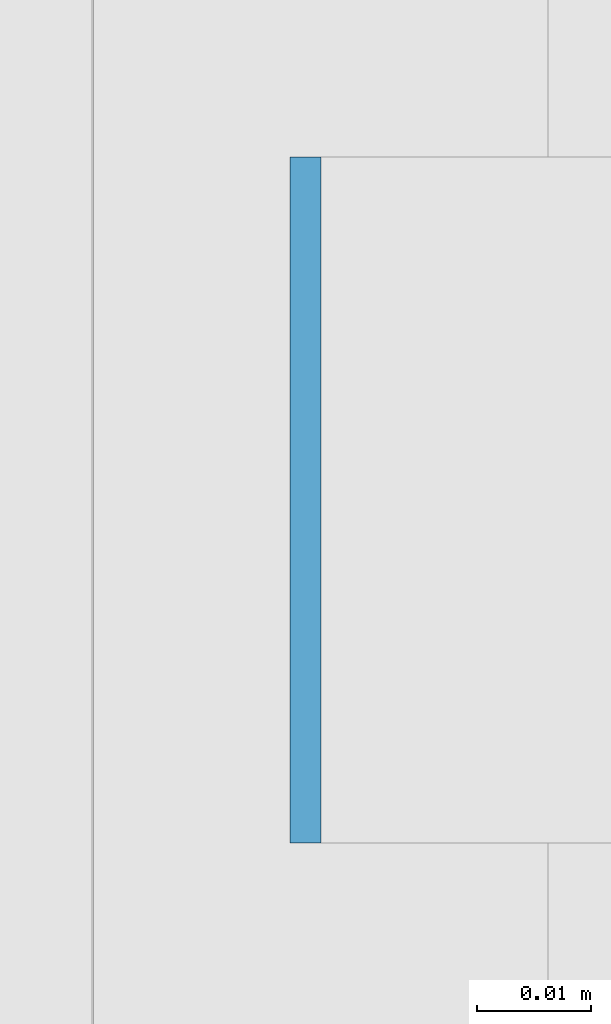
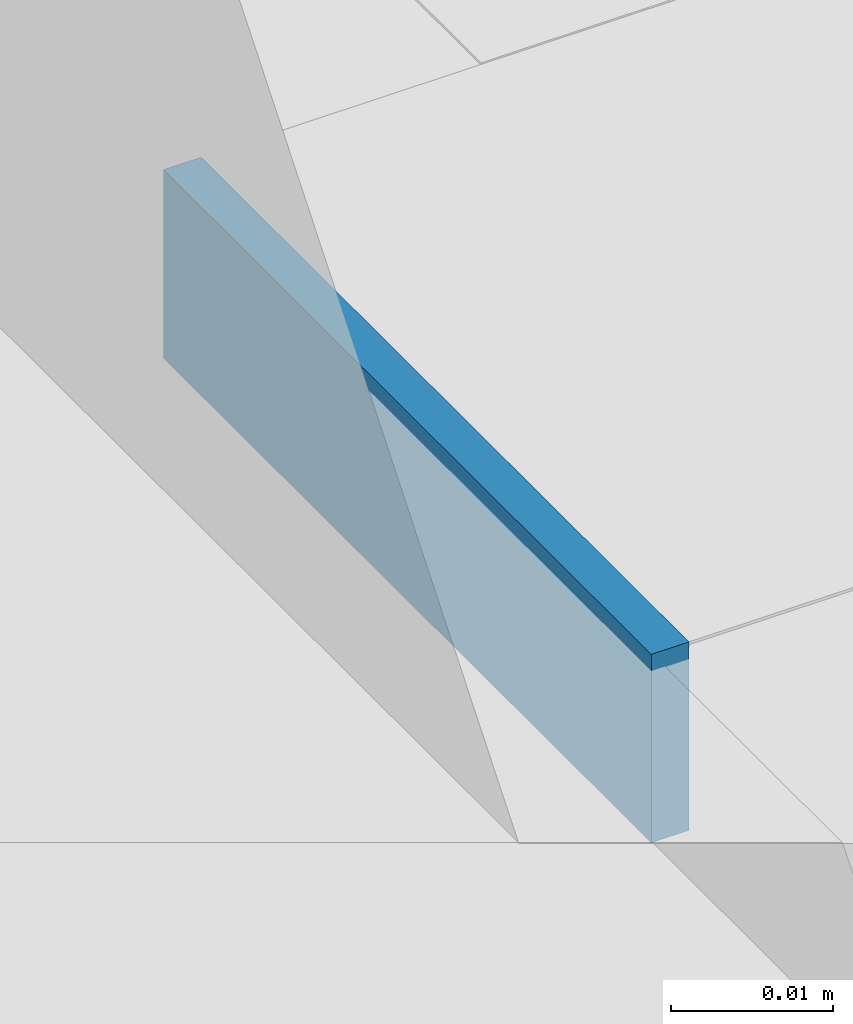
# One storey, part 527 of 646: 1 discrete accessory.
"""IFC4 building model written with IfcOpenShell, lengths in metres."""

from ifc_helpers import new_model, si_unit, direction, frame, origin, origin_2d, place, context, subcontext, project, spatial, rectangle, extrude, material, type_object, element, save


model = new_model("IFC4")

# Units and contexts
model_context = context("Model", 3, precision=1e-05, world=origin(), true_north=direction((0.0, 1.0)))
body_context = subcontext(model_context, "Body", "Model", "MODEL_VIEW")
ifc_project = project(units=[si_unit("LENGTHUNIT", "METRE"), si_unit("AREAUNIT", "SQUARE_METRE"), si_unit("VOLUMEUNIT", "CUBIC_METRE"), si_unit("PLANEANGLEUNIT", "RADIAN"), si_unit("MASSUNIT", "GRAM", prefix="KILO")], contexts=[model_context])

# Site, building, storey
site_placement = place(None, origin())
site = spatial("IfcSite", under=ifc_project, at=site_placement, CompositionType="ELEMENT")
building_placement = place(site_placement, origin())
building = spatial("IfcBuilding", under=site, at=building_placement, Name="Silverbay Arena", CompositionType="ELEMENT")
storey_placement = place(building_placement, frame((0.0, 0.0, 33.5)))
storey = spatial("IfcBuildingStorey", under=building, at=storey_placement, Name="L05", CompositionType="ELEMENT", Elevation=33.5)

# Discrete accessory
ifc_material = material(Name="Steel S355", Category="steel")
discrete_accessory_type = type_object("IfcDiscreteAccessoryType", Name="Steel bracket plate", PredefinedType="BRACKET", material=ifc_material)
discrete_accessory_placement = place(storey_placement, frame((207.128662109375, 82.28564453125, 12.98583984375), z_axis=(0.0, 0.0, 1.0), x_axis=(1.0, 0.0, 0.0)))
element("IfcDiscreteAccessory", 1, at=discrete_accessory_placement, inside=storey, type_object=discrete_accessory_type, Name="Curtain wall packing plate", PredefinedType="BRACKET", context=body_context, shape_type="SweptSolid", body=[
    extrude(rectangle(XDim=0.002685546875, YDim=0.06005859375, at=origin_2d()), origin(), (0.0, 0.0, 1.0), 0.01416015625),
])

save(model, "model.ifc")
